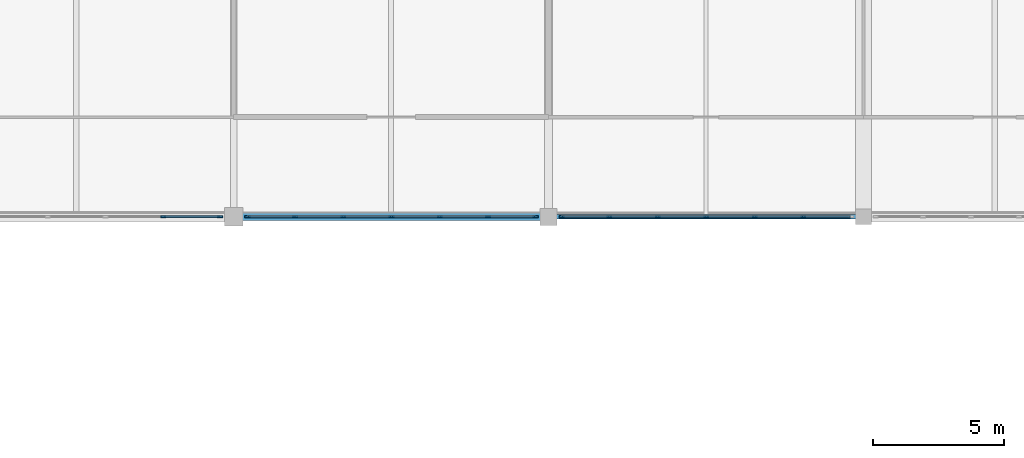
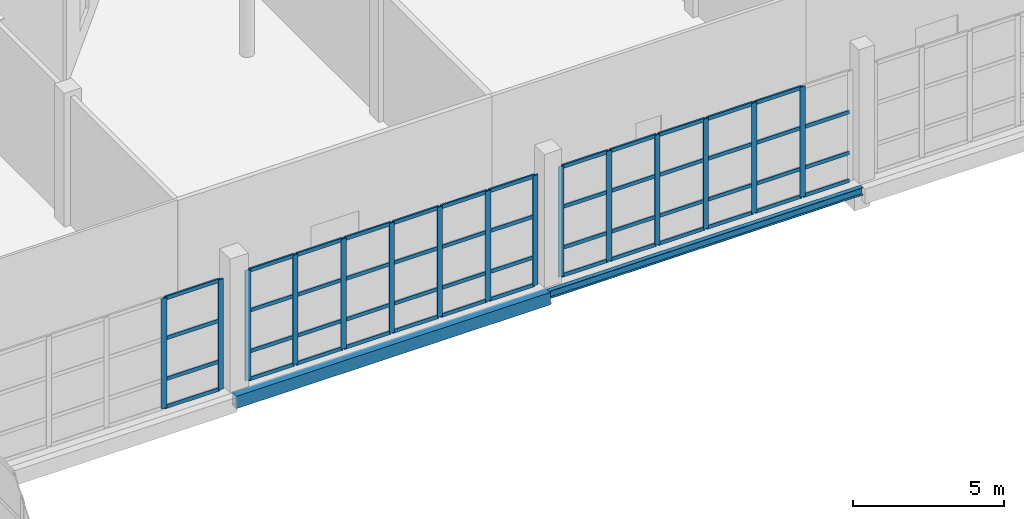
# One storey, part 23 of 49: 66 members, 2 beams, 3 elements without a shape of their own.
"""IFC4 building model written with IfcOpenShell, lengths in metres."""

from ifc_helpers import new_model, si_unit, direction, frame, origin, origin_2d, place, context, subcontext, project, spatial, rectangle, hollow_rectangle, i_section, extrude, material, material_profile, profile_set, type_object, element, aggregate, save


model = new_model("IFC4")

# Units and contexts
model_context = context("Model", 3, precision=1e-05, world=origin(), true_north=direction((0.0, 1.0)))
body_context = subcontext(model_context, "Body", "Model", "MODEL_VIEW")
ifc_project = project(units=[si_unit("LENGTHUNIT", "METRE"), si_unit("AREAUNIT", "SQUARE_METRE"), si_unit("VOLUMEUNIT", "CUBIC_METRE"), si_unit("PLANEANGLEUNIT", "RADIAN"), si_unit("MASSUNIT", "GRAM", prefix="KILO")], contexts=[model_context])

# Site, building, storey
site_placement = place(None, origin())
site = spatial("IfcSite", under=ifc_project, at=site_placement, CompositionType="ELEMENT")
building_placement = place(site_placement, origin())
building = spatial("IfcBuilding", under=site, at=building_placement, Name="Luwafu Chhajja Arena", CompositionType="ELEMENT")
storey_placement = place(building_placement, frame((0.0, 0.0, 24.300048828125)))
storey = spatial("IfcBuildingStorey", under=building, at=storey_placement, Name="L05", CompositionType="ELEMENT", Elevation=24.300048828125)

# Curtain wall, members
ifc_material_1 = material(Name="Anodised bronze aluminium", Category="aluminium")
curtain_wall_type = type_object("IfcCurtainWallType", Name="VIP Club Terrace Curtain Wall", PredefinedType="USERDEFINED", material=ifc_material_1)
curtain_wall_1_placement = place(storey_placement, origin())
curtain_wall_1 = element("IfcCurtainWall", 1, at=curtain_wall_1_placement, inside=storey, type_object=curtain_wall_type, Name="L05 Bowl Viewing Curtain Wall CWR-L05-08", ObjectType="CURTAIN WALL", PredefinedType="USERDEFINED")
ifc_material_profile_1 = material_profile(ifc_material_1, rectangle(XDim=0.06494140625, YDim=0.199951171875, at=origin_2d()), Name="CWM 65x200")
ifc_profile_set_1 = profile_set([ifc_material_profile_1], Name="Anodised bronze aluminium")
member_type_1 = type_object("IfcMemberType", Name="Bronze Curtain Wall Mullion 65x200", PredefinedType="MULLION", material=ifc_profile_set_1)
member_1_placement = place(storey_placement, frame((67.31103515625, 77.0, 0.0), z_axis=(0.0, 0.0, 1.0), x_axis=(0.0, 1.0, 0.0)))
member_1 = element("IfcMember", 2, at=member_1_placement, type_object=member_type_1, Name="CW-10 mullion 5", PredefinedType="MULLION", context=body_context, shape_type="SweptSolid", body=[
    extrude(rectangle(XDim=0.06494140625, YDim=0.199951171875, at=origin_2d()), origin(), (0.0, 0.0, 1.0), 4.449951171875),
])
member_2_placement = place(storey_placement, frame((69.4775390625, 77.0, 0.0), z_axis=(0.0, 0.0, 1.0), x_axis=(0.0, 1.0, 0.0)))
member_2 = element("IfcMember", 3, at=member_2_placement, type_object=member_type_1, Name="CW-10 mullion 6", PredefinedType="MULLION", context=body_context, shape_type="SweptSolid", body=[
    extrude(rectangle(XDim=0.06494140625, YDim=0.199951171875, at=origin_2d()), origin(), (0.0, 0.0, 1.0), 4.449951171875),
])

curtain_wall_2_placement = place(storey_placement, origin())
curtain_wall_2 = element("IfcCurtainWall", 4, at=curtain_wall_2_placement, inside=storey, type_object=curtain_wall_type, Name="L05 Bowl Viewing Curtain Wall CWR-L05-09", ObjectType="CURTAIN WALL", PredefinedType="USERDEFINED")
member_3_placement = place(storey_placement, frame((70.5224609375, 77.0, 0.0), z_axis=(0.0, 0.0, 1.0), x_axis=(0.0, 1.0, 0.0)))
member_3 = element("IfcMember", 5, at=member_3_placement, type_object=member_type_1, Name="CW-10 mullion 1", PredefinedType="MULLION", context=body_context, shape_type="SweptSolid", body=[
    extrude(rectangle(XDim=0.06494140625, YDim=0.199951171875, at=origin_2d()), origin(), (0.0, 0.0, 1.0), 4.449951171875),
])
member_4_placement = place(storey_placement, frame((72.330810546875, 77.0, 0.0), z_axis=(0.0, 0.0, 1.0), x_axis=(0.0, 1.0, 0.0)))
member_4 = element("IfcMember", 6, at=member_4_placement, type_object=member_type_1, Name="CW-10 mullion 2", PredefinedType="MULLION", context=body_context, shape_type="SweptSolid", body=[
    extrude(rectangle(XDim=0.06494140625, YDim=0.199951171875, at=origin_2d()), origin(), (0.0, 0.0, 1.0), 4.449951171875),
])
member_5_placement = place(storey_placement, frame((74.171630859375, 77.0, 0.0), z_axis=(0.0, 0.0, 1.0), x_axis=(0.0, 1.0, 0.0)))
member_5 = element("IfcMember", 7, at=member_5_placement, type_object=member_type_1, Name="CW-10 mullion 3", PredefinedType="MULLION", context=body_context, shape_type="SweptSolid", body=[
    extrude(rectangle(XDim=0.06494140625, YDim=0.199951171875, at=origin_2d()), origin(), (0.0, 0.0, 1.0), 4.449951171875),
])
member_6_placement = place(storey_placement, frame((76.012451171875, 77.0, 0.0), z_axis=(0.0, 0.0, 1.0), x_axis=(0.0, 1.0, 0.0)))
member_6 = element("IfcMember", 8, at=member_6_placement, type_object=member_type_1, Name="CW-10 mullion 4", PredefinedType="MULLION", context=body_context, shape_type="SweptSolid", body=[
    extrude(rectangle(XDim=0.06494140625, YDim=0.199951171875, at=origin_2d()), origin(), (0.0, 0.0, 1.0), 4.449951171875),
])
member_7_placement = place(storey_placement, frame((77.853271484375, 77.0, 0.0), z_axis=(0.0, 0.0, 1.0), x_axis=(0.0, 1.0, 0.0)))
member_7 = element("IfcMember", 9, at=member_7_placement, type_object=member_type_1, Name="CW-10 mullion 5", PredefinedType="MULLION", context=body_context, shape_type="SweptSolid", body=[
    extrude(rectangle(XDim=0.06494140625, YDim=0.199951171875, at=origin_2d()), origin(), (0.0, 0.0, 1.0), 4.449951171875),
])
member_8_placement = place(storey_placement, frame((79.694091796875, 77.0, 0.0), z_axis=(0.0, 0.0, 1.0), x_axis=(0.0, 1.0, 0.0)))
member_8 = element("IfcMember", 10, at=member_8_placement, type_object=member_type_1, Name="CW-10 mullion 6", PredefinedType="MULLION", context=body_context, shape_type="SweptSolid", body=[
    extrude(rectangle(XDim=0.06494140625, YDim=0.199951171875, at=origin_2d()), origin(), (0.0, 0.0, 1.0), 4.449951171875),
])
member_9_placement = place(storey_placement, frame((81.50244140625, 77.0, 0.0), z_axis=(0.0, 0.0, 1.0), x_axis=(0.0, 1.0, 0.0)))
member_9 = element("IfcMember", 11, at=member_9_placement, type_object=member_type_1, Name="CW-10 mullion 7", PredefinedType="MULLION", context=body_context, shape_type="SweptSolid", body=[
    extrude(rectangle(XDim=0.06494140625, YDim=0.199951171875, at=origin_2d()), origin(), (0.0, 0.0, 1.0), 4.449951171875),
])

curtain_wall_3_placement = place(storey_placement, origin())
curtain_wall_3 = element("IfcCurtainWall", 12, at=curtain_wall_3_placement, inside=storey, type_object=curtain_wall_type, Name="L05 Bowl Viewing Curtain Wall CWR-L05-10", ObjectType="CURTAIN WALL", PredefinedType="USERDEFINED")
member_10_placement = place(storey_placement, frame((82.49755859375, 77.0, 0.0), z_axis=(0.0, 0.0, 1.0), x_axis=(0.0, 1.0, 0.0)))
member_10 = element("IfcMember", 13, at=member_10_placement, type_object=member_type_1, Name="CW-10 mullion 1", PredefinedType="MULLION", context=body_context, shape_type="SweptSolid", body=[
    extrude(rectangle(XDim=0.06494140625, YDim=0.199951171875, at=origin_2d()), origin(), (0.0, 0.0, 1.0), 4.449951171875),
])
member_11_placement = place(storey_placement, frame((84.314208984375, 77.0, 0.0), z_axis=(0.0, 0.0, 1.0), x_axis=(0.0, 1.0, 0.0)))
member_11 = element("IfcMember", 14, at=member_11_placement, type_object=member_type_1, Name="CW-10 mullion 2", PredefinedType="MULLION", context=body_context, shape_type="SweptSolid", body=[
    extrude(rectangle(XDim=0.06494140625, YDim=0.199951171875, at=origin_2d()), origin(), (0.0, 0.0, 1.0), 4.449951171875),
])
member_12_placement = place(storey_placement, frame((86.163330078125, 77.0, 0.0), z_axis=(0.0, 0.0, 1.0), x_axis=(0.0, 1.0, 0.0)))
member_12 = element("IfcMember", 15, at=member_12_placement, type_object=member_type_1, Name="CW-10 mullion 3", PredefinedType="MULLION", context=body_context, shape_type="SweptSolid", body=[
    extrude(rectangle(XDim=0.06494140625, YDim=0.199951171875, at=origin_2d()), origin(), (0.0, 0.0, 1.0), 4.449951171875),
])
member_13_placement = place(storey_placement, frame((88.012451171875, 77.0, 0.0), z_axis=(0.0, 0.0, 1.0), x_axis=(0.0, 1.0, 0.0)))
member_13 = element("IfcMember", 16, at=member_13_placement, type_object=member_type_1, Name="CW-10 mullion 4", PredefinedType="MULLION", context=body_context, shape_type="SweptSolid", body=[
    extrude(rectangle(XDim=0.06494140625, YDim=0.199951171875, at=origin_2d()), origin(), (0.0, 0.0, 1.0), 4.449951171875),
])
member_14_placement = place(storey_placement, frame((89.861572265625, 77.0, 0.0), z_axis=(0.0, 0.0, 1.0), x_axis=(0.0, 1.0, 0.0)))
member_14 = element("IfcMember", 17, at=member_14_placement, type_object=member_type_1, Name="CW-10 mullion 5", PredefinedType="MULLION", context=body_context, shape_type="SweptSolid", body=[
    extrude(rectangle(XDim=0.06494140625, YDim=0.199951171875, at=origin_2d()), origin(), (0.0, 0.0, 1.0), 4.449951171875),
])
member_15_placement = place(storey_placement, frame((91.7109375, 77.0, 0.0), z_axis=(0.0, 0.0, 1.0), x_axis=(0.0, 1.0, 0.0)))
member_15 = element("IfcMember", 18, at=member_15_placement, type_object=member_type_1, Name="CW-10 mullion 6", PredefinedType="MULLION", context=body_context, shape_type="SweptSolid", body=[
    extrude(rectangle(XDim=0.06494140625, YDim=0.199951171875, at=origin_2d()), origin(), (0.0, 0.0, 1.0), 4.449951171875),
])

# Member
ifc_material_profile_2 = material_profile(ifc_material_1, rectangle(XDim=0.06494140625, YDim=0.14990234375, at=origin_2d()), Name="CWT 65x150")
ifc_profile_set_2 = profile_set([ifc_material_profile_2], Name="Anodised bronze aluminium")
member_type_2 = type_object("IfcMemberType", Name="Bronze Curtain Wall Transom 65x150", PredefinedType="USERDEFINED", material=ifc_profile_set_2)
member_16_placement = place(storey_placement, frame((67.343505859375, 77.0, 0.032470703125), z_axis=(1.0, 0.0, 0.0), x_axis=(0.0, 1.0, 0.0)))
member_16 = element("IfcMember", 19, at=member_16_placement, type_object=member_type_2, Name="CW-10 transom 5.1", ObjectType="TRANSOM", PredefinedType="USERDEFINED", context=body_context, shape_type="SweptSolid", body=[
    extrude(rectangle(XDim=0.06494140625, YDim=0.14990234375, at=origin_2d()), origin(), (0.0, 0.0, 1.0), 2.1015625),
])

member_17_placement = place(storey_placement, frame((67.343505859375, 77.0, 1.14990234375), z_axis=(1.0, 0.0, 0.0), x_axis=(0.0, 1.0, 0.0)))
member_17 = element("IfcMember", 20, at=member_17_placement, type_object=member_type_2, Name="CW-10 transom 5.2", ObjectType="TRANSOM", PredefinedType="USERDEFINED", context=body_context, shape_type="SweptSolid", body=[
    extrude(rectangle(XDim=0.06494140625, YDim=0.14990234375, at=origin_2d()), origin(), (0.0, 0.0, 1.0), 2.1015625),
])

member_18_placement = place(storey_placement, frame((67.343505859375, 77.0, 2.800048828125), z_axis=(1.0, 0.0, 0.0), x_axis=(0.0, 1.0, 0.0)))
member_18 = element("IfcMember", 21, at=member_18_placement, type_object=member_type_2, Name="CW-10 transom 5.3", ObjectType="TRANSOM", PredefinedType="USERDEFINED", context=body_context, shape_type="SweptSolid", body=[
    extrude(rectangle(XDim=0.06494140625, YDim=0.14990234375, at=origin_2d()), origin(), (0.0, 0.0, 1.0), 2.1015625),
])

member_19_placement = place(storey_placement, frame((67.343505859375, 77.0, 4.41748046875), z_axis=(1.0, 0.0, 0.0), x_axis=(0.0, 1.0, 0.0)))
member_19 = element("IfcMember", 22, at=member_19_placement, type_object=member_type_2, Name="CW-10 transom 5.4", ObjectType="TRANSOM", PredefinedType="USERDEFINED", context=body_context, shape_type="SweptSolid", body=[
    extrude(rectangle(XDim=0.06494140625, YDim=0.14990234375, at=origin_2d()), origin(), (0.0, 0.0, 1.0), 2.1015625),
])

aggregate(curtain_wall_1, [member_1, member_2, member_16, member_17, member_18, member_19])

member_20_placement = place(storey_placement, frame((70.554931640625, 77.0, 0.032470703125), z_axis=(1.0, 0.0, 0.0), x_axis=(0.0, 1.0, 0.0)))
member_20 = element("IfcMember", 23, at=member_20_placement, type_object=member_type_2, Name="CW-10 transom 1.1", ObjectType="TRANSOM", PredefinedType="USERDEFINED", context=body_context, shape_type="SweptSolid", body=[
    extrude(rectangle(XDim=0.06494140625, YDim=0.14990234375, at=origin_2d()), origin(), (0.0, 0.0, 1.0), 1.743408203125),
])

member_21_placement = place(storey_placement, frame((70.554931640625, 77.0, 1.14990234375), z_axis=(1.0, 0.0, 0.0), x_axis=(0.0, 1.0, 0.0)))
member_21 = element("IfcMember", 24, at=member_21_placement, type_object=member_type_2, Name="CW-10 transom 1.2", ObjectType="TRANSOM", PredefinedType="USERDEFINED", context=body_context, shape_type="SweptSolid", body=[
    extrude(rectangle(XDim=0.06494140625, YDim=0.14990234375, at=origin_2d()), origin(), (0.0, 0.0, 1.0), 1.743408203125),
])

member_22_placement = place(storey_placement, frame((70.554931640625, 77.0, 2.800048828125), z_axis=(1.0, 0.0, 0.0), x_axis=(0.0, 1.0, 0.0)))
member_22 = element("IfcMember", 25, at=member_22_placement, type_object=member_type_2, Name="CW-10 transom 1.3", ObjectType="TRANSOM", PredefinedType="USERDEFINED", context=body_context, shape_type="SweptSolid", body=[
    extrude(rectangle(XDim=0.06494140625, YDim=0.14990234375, at=origin_2d()), origin(), (0.0, 0.0, 1.0), 1.743408203125),
])

member_23_placement = place(storey_placement, frame((70.554931640625, 77.0, 4.41748046875), z_axis=(1.0, 0.0, 0.0), x_axis=(0.0, 1.0, 0.0)))
member_23 = element("IfcMember", 26, at=member_23_placement, type_object=member_type_2, Name="CW-10 transom 1.4", ObjectType="TRANSOM", PredefinedType="USERDEFINED", context=body_context, shape_type="SweptSolid", body=[
    extrude(rectangle(XDim=0.06494140625, YDim=0.14990234375, at=origin_2d()), origin(), (0.0, 0.0, 1.0), 1.743408203125),
])

member_24_placement = place(storey_placement, frame((72.36328125, 77.0, 0.032470703125), z_axis=(1.0, 0.0, 0.0), x_axis=(0.0, 1.0, 0.0)))
member_24 = element("IfcMember", 27, at=member_24_placement, type_object=member_type_2, Name="CW-10 transom 2.1", ObjectType="TRANSOM", PredefinedType="USERDEFINED", context=body_context, shape_type="SweptSolid", body=[
    extrude(rectangle(XDim=0.06494140625, YDim=0.14990234375, at=origin_2d()), origin(), (0.0, 0.0, 1.0), 1.77587890625),
])

member_25_placement = place(storey_placement, frame((72.36328125, 77.0, 1.14990234375), z_axis=(1.0, 0.0, 0.0), x_axis=(0.0, 1.0, 0.0)))
member_25 = element("IfcMember", 28, at=member_25_placement, type_object=member_type_2, Name="CW-10 transom 2.2", ObjectType="TRANSOM", PredefinedType="USERDEFINED", context=body_context, shape_type="SweptSolid", body=[
    extrude(rectangle(XDim=0.06494140625, YDim=0.14990234375, at=origin_2d()), origin(), (0.0, 0.0, 1.0), 1.77587890625),
])

member_26_placement = place(storey_placement, frame((72.36328125, 77.0, 2.800048828125), z_axis=(1.0, 0.0, 0.0), x_axis=(0.0, 1.0, 0.0)))
member_26 = element("IfcMember", 29, at=member_26_placement, type_object=member_type_2, Name="CW-10 transom 2.3", ObjectType="TRANSOM", PredefinedType="USERDEFINED", context=body_context, shape_type="SweptSolid", body=[
    extrude(rectangle(XDim=0.06494140625, YDim=0.14990234375, at=origin_2d()), origin(), (0.0, 0.0, 1.0), 1.77587890625),
])

member_27_placement = place(storey_placement, frame((72.36328125, 77.0, 4.41748046875), z_axis=(1.0, 0.0, 0.0), x_axis=(0.0, 1.0, 0.0)))
member_27 = element("IfcMember", 30, at=member_27_placement, type_object=member_type_2, Name="CW-10 transom 2.4", ObjectType="TRANSOM", PredefinedType="USERDEFINED", context=body_context, shape_type="SweptSolid", body=[
    extrude(rectangle(XDim=0.06494140625, YDim=0.14990234375, at=origin_2d()), origin(), (0.0, 0.0, 1.0), 1.77587890625),
])

member_28_placement = place(storey_placement, frame((74.2041015625, 77.0, 0.032470703125), z_axis=(1.0, 0.0, 0.0), x_axis=(0.0, 1.0, 0.0)))
member_28 = element("IfcMember", 31, at=member_28_placement, type_object=member_type_2, Name="CW-10 transom 3.1", ObjectType="TRANSOM", PredefinedType="USERDEFINED", context=body_context, shape_type="SweptSolid", body=[
    extrude(rectangle(XDim=0.06494140625, YDim=0.14990234375, at=origin_2d()), origin(), (0.0, 0.0, 1.0), 1.77587890625),
])

member_29_placement = place(storey_placement, frame((74.2041015625, 77.0, 1.14990234375), z_axis=(1.0, 0.0, 0.0), x_axis=(0.0, 1.0, 0.0)))
member_29 = element("IfcMember", 32, at=member_29_placement, type_object=member_type_2, Name="CW-10 transom 3.2", ObjectType="TRANSOM", PredefinedType="USERDEFINED", context=body_context, shape_type="SweptSolid", body=[
    extrude(rectangle(XDim=0.06494140625, YDim=0.14990234375, at=origin_2d()), origin(), (0.0, 0.0, 1.0), 1.77587890625),
])

member_30_placement = place(storey_placement, frame((74.2041015625, 77.0, 2.800048828125), z_axis=(1.0, 0.0, 0.0), x_axis=(0.0, 1.0, 0.0)))
member_30 = element("IfcMember", 33, at=member_30_placement, type_object=member_type_2, Name="CW-10 transom 3.3", ObjectType="TRANSOM", PredefinedType="USERDEFINED", context=body_context, shape_type="SweptSolid", body=[
    extrude(rectangle(XDim=0.06494140625, YDim=0.14990234375, at=origin_2d()), origin(), (0.0, 0.0, 1.0), 1.77587890625),
])

member_31_placement = place(storey_placement, frame((74.2041015625, 77.0, 4.41748046875), z_axis=(1.0, 0.0, 0.0), x_axis=(0.0, 1.0, 0.0)))
member_31 = element("IfcMember", 34, at=member_31_placement, type_object=member_type_2, Name="CW-10 transom 3.4", ObjectType="TRANSOM", PredefinedType="USERDEFINED", context=body_context, shape_type="SweptSolid", body=[
    extrude(rectangle(XDim=0.06494140625, YDim=0.14990234375, at=origin_2d()), origin(), (0.0, 0.0, 1.0), 1.77587890625),
])

member_32_placement = place(storey_placement, frame((76.044921875, 77.0, 0.032470703125), z_axis=(1.0, 0.0, 0.0), x_axis=(0.0, 1.0, 0.0)))
member_32 = element("IfcMember", 35, at=member_32_placement, type_object=member_type_2, Name="CW-10 transom 4.1", ObjectType="TRANSOM", PredefinedType="USERDEFINED", context=body_context, shape_type="SweptSolid", body=[
    extrude(rectangle(XDim=0.06494140625, YDim=0.14990234375, at=origin_2d()), origin(), (0.0, 0.0, 1.0), 1.77587890625),
])

member_33_placement = place(storey_placement, frame((76.044921875, 77.0, 1.14990234375), z_axis=(1.0, 0.0, 0.0), x_axis=(0.0, 1.0, 0.0)))
member_33 = element("IfcMember", 36, at=member_33_placement, type_object=member_type_2, Name="CW-10 transom 4.2", ObjectType="TRANSOM", PredefinedType="USERDEFINED", context=body_context, shape_type="SweptSolid", body=[
    extrude(rectangle(XDim=0.06494140625, YDim=0.14990234375, at=origin_2d()), origin(), (0.0, 0.0, 1.0), 1.77587890625),
])

member_34_placement = place(storey_placement, frame((76.044921875, 77.0, 2.800048828125), z_axis=(1.0, 0.0, 0.0), x_axis=(0.0, 1.0, 0.0)))
member_34 = element("IfcMember", 37, at=member_34_placement, type_object=member_type_2, Name="CW-10 transom 4.3", ObjectType="TRANSOM", PredefinedType="USERDEFINED", context=body_context, shape_type="SweptSolid", body=[
    extrude(rectangle(XDim=0.06494140625, YDim=0.14990234375, at=origin_2d()), origin(), (0.0, 0.0, 1.0), 1.77587890625),
])

member_35_placement = place(storey_placement, frame((76.044921875, 77.0, 4.41748046875), z_axis=(1.0, 0.0, 0.0), x_axis=(0.0, 1.0, 0.0)))
member_35 = element("IfcMember", 38, at=member_35_placement, type_object=member_type_2, Name="CW-10 transom 4.4", ObjectType="TRANSOM", PredefinedType="USERDEFINED", context=body_context, shape_type="SweptSolid", body=[
    extrude(rectangle(XDim=0.06494140625, YDim=0.14990234375, at=origin_2d()), origin(), (0.0, 0.0, 1.0), 1.77587890625),
])

member_36_placement = place(storey_placement, frame((77.8857421875, 77.0, 0.032470703125), z_axis=(1.0, 0.0, 0.0), x_axis=(0.0, 1.0, 0.0)))
member_36 = element("IfcMember", 39, at=member_36_placement, type_object=member_type_2, Name="CW-10 transom 5.1", ObjectType="TRANSOM", PredefinedType="USERDEFINED", context=body_context, shape_type="SweptSolid", body=[
    extrude(rectangle(XDim=0.06494140625, YDim=0.14990234375, at=origin_2d()), origin(), (0.0, 0.0, 1.0), 1.77587890625),
])

member_37_placement = place(storey_placement, frame((77.8857421875, 77.0, 1.14990234375), z_axis=(1.0, 0.0, 0.0), x_axis=(0.0, 1.0, 0.0)))
member_37 = element("IfcMember", 40, at=member_37_placement, type_object=member_type_2, Name="CW-10 transom 5.2", ObjectType="TRANSOM", PredefinedType="USERDEFINED", context=body_context, shape_type="SweptSolid", body=[
    extrude(rectangle(XDim=0.06494140625, YDim=0.14990234375, at=origin_2d()), origin(), (0.0, 0.0, 1.0), 1.77587890625),
])

member_38_placement = place(storey_placement, frame((77.8857421875, 77.0, 2.800048828125), z_axis=(1.0, 0.0, 0.0), x_axis=(0.0, 1.0, 0.0)))
member_38 = element("IfcMember", 41, at=member_38_placement, type_object=member_type_2, Name="CW-10 transom 5.3", ObjectType="TRANSOM", PredefinedType="USERDEFINED", context=body_context, shape_type="SweptSolid", body=[
    extrude(rectangle(XDim=0.06494140625, YDim=0.14990234375, at=origin_2d()), origin(), (0.0, 0.0, 1.0), 1.77587890625),
])

member_39_placement = place(storey_placement, frame((77.8857421875, 77.0, 4.41748046875), z_axis=(1.0, 0.0, 0.0), x_axis=(0.0, 1.0, 0.0)))
member_39 = element("IfcMember", 42, at=member_39_placement, type_object=member_type_2, Name="CW-10 transom 5.4", ObjectType="TRANSOM", PredefinedType="USERDEFINED", context=body_context, shape_type="SweptSolid", body=[
    extrude(rectangle(XDim=0.06494140625, YDim=0.14990234375, at=origin_2d()), origin(), (0.0, 0.0, 1.0), 1.77587890625),
])

member_40_placement = place(storey_placement, frame((79.7265625, 77.0, 0.032470703125), z_axis=(1.0, 0.0, 0.0), x_axis=(0.0, 1.0, 0.0)))
member_40 = element("IfcMember", 43, at=member_40_placement, type_object=member_type_2, Name="CW-10 transom 6.1", ObjectType="TRANSOM", PredefinedType="USERDEFINED", context=body_context, shape_type="SweptSolid", body=[
    extrude(rectangle(XDim=0.06494140625, YDim=0.14990234375, at=origin_2d()), origin(), (0.0, 0.0, 1.0), 1.743408203125),
])

member_41_placement = place(storey_placement, frame((79.7265625, 77.0, 1.14990234375), z_axis=(1.0, 0.0, 0.0), x_axis=(0.0, 1.0, 0.0)))
member_41 = element("IfcMember", 44, at=member_41_placement, type_object=member_type_2, Name="CW-10 transom 6.2", ObjectType="TRANSOM", PredefinedType="USERDEFINED", context=body_context, shape_type="SweptSolid", body=[
    extrude(rectangle(XDim=0.06494140625, YDim=0.14990234375, at=origin_2d()), origin(), (0.0, 0.0, 1.0), 1.743408203125),
])

member_42_placement = place(storey_placement, frame((79.7265625, 77.0, 2.800048828125), z_axis=(1.0, 0.0, 0.0), x_axis=(0.0, 1.0, 0.0)))
member_42 = element("IfcMember", 45, at=member_42_placement, type_object=member_type_2, Name="CW-10 transom 6.3", ObjectType="TRANSOM", PredefinedType="USERDEFINED", context=body_context, shape_type="SweptSolid", body=[
    extrude(rectangle(XDim=0.06494140625, YDim=0.14990234375, at=origin_2d()), origin(), (0.0, 0.0, 1.0), 1.743408203125),
])

member_43_placement = place(storey_placement, frame((79.7265625, 77.0, 4.41748046875), z_axis=(1.0, 0.0, 0.0), x_axis=(0.0, 1.0, 0.0)))
member_43 = element("IfcMember", 46, at=member_43_placement, type_object=member_type_2, Name="CW-10 transom 6.4", ObjectType="TRANSOM", PredefinedType="USERDEFINED", context=body_context, shape_type="SweptSolid", body=[
    extrude(rectangle(XDim=0.06494140625, YDim=0.14990234375, at=origin_2d()), origin(), (0.0, 0.0, 1.0), 1.743408203125),
])

aggregate(curtain_wall_2, [member_3, member_4, member_5, member_6, member_7, member_8, member_9, member_20, member_21, member_22, member_23, member_24, member_25, member_26, member_27, member_28, member_29, member_30, member_31, member_32, member_33, member_34, member_35, member_36, member_37, member_38, member_39, member_40, member_41, member_42, member_43])

member_44_placement = place(storey_placement, frame((82.530029296875, 77.0, 0.032470703125), z_axis=(1.0, 0.0, 0.0), x_axis=(0.0, 1.0, 0.0)))
member_44 = element("IfcMember", 47, at=member_44_placement, type_object=member_type_2, Name="CW-10 transom 1.1", ObjectType="TRANSOM", PredefinedType="USERDEFINED", context=body_context, shape_type="SweptSolid", body=[
    extrude(rectangle(XDim=0.06494140625, YDim=0.14990234375, at=origin_2d()), origin(), (0.0, 0.0, 1.0), 1.751708984375),
])

member_45_placement = place(storey_placement, frame((82.530029296875, 77.0, 1.14990234375), z_axis=(1.0, 0.0, 0.0), x_axis=(0.0, 1.0, 0.0)))
member_45 = element("IfcMember", 48, at=member_45_placement, type_object=member_type_2, Name="CW-10 transom 1.2", ObjectType="TRANSOM", PredefinedType="USERDEFINED", context=body_context, shape_type="SweptSolid", body=[
    extrude(rectangle(XDim=0.06494140625, YDim=0.14990234375, at=origin_2d()), origin(), (0.0, 0.0, 1.0), 1.751708984375),
])

member_46_placement = place(storey_placement, frame((82.530029296875, 77.0, 2.800048828125), z_axis=(1.0, 0.0, 0.0), x_axis=(0.0, 1.0, 0.0)))
member_46 = element("IfcMember", 49, at=member_46_placement, type_object=member_type_2, Name="CW-10 transom 1.3", ObjectType="TRANSOM", PredefinedType="USERDEFINED", context=body_context, shape_type="SweptSolid", body=[
    extrude(rectangle(XDim=0.06494140625, YDim=0.14990234375, at=origin_2d()), origin(), (0.0, 0.0, 1.0), 1.751708984375),
])

member_47_placement = place(storey_placement, frame((82.530029296875, 77.0, 4.41748046875), z_axis=(1.0, 0.0, 0.0), x_axis=(0.0, 1.0, 0.0)))
member_47 = element("IfcMember", 50, at=member_47_placement, type_object=member_type_2, Name="CW-10 transom 1.4", ObjectType="TRANSOM", PredefinedType="USERDEFINED", context=body_context, shape_type="SweptSolid", body=[
    extrude(rectangle(XDim=0.06494140625, YDim=0.14990234375, at=origin_2d()), origin(), (0.0, 0.0, 1.0), 1.751708984375),
])

member_48_placement = place(storey_placement, frame((84.3466796875, 77.0, 0.032470703125), z_axis=(1.0, 0.0, 0.0), x_axis=(0.0, 1.0, 0.0)))
member_48 = element("IfcMember", 51, at=member_48_placement, type_object=member_type_2, Name="CW-10 transom 2.1", ObjectType="TRANSOM", PredefinedType="USERDEFINED", context=body_context, shape_type="SweptSolid", body=[
    extrude(rectangle(XDim=0.06494140625, YDim=0.14990234375, at=origin_2d()), origin(), (0.0, 0.0, 1.0), 1.7841796875),
])

member_49_placement = place(storey_placement, frame((84.3466796875, 77.0, 1.14990234375), z_axis=(1.0, 0.0, 0.0), x_axis=(0.0, 1.0, 0.0)))
member_49 = element("IfcMember", 52, at=member_49_placement, type_object=member_type_2, Name="CW-10 transom 2.2", ObjectType="TRANSOM", PredefinedType="USERDEFINED", context=body_context, shape_type="SweptSolid", body=[
    extrude(rectangle(XDim=0.06494140625, YDim=0.14990234375, at=origin_2d()), origin(), (0.0, 0.0, 1.0), 1.7841796875),
])

member_50_placement = place(storey_placement, frame((84.3466796875, 77.0, 2.800048828125), z_axis=(1.0, 0.0, 0.0), x_axis=(0.0, 1.0, 0.0)))
member_50 = element("IfcMember", 53, at=member_50_placement, type_object=member_type_2, Name="CW-10 transom 2.3", ObjectType="TRANSOM", PredefinedType="USERDEFINED", context=body_context, shape_type="SweptSolid", body=[
    extrude(rectangle(XDim=0.06494140625, YDim=0.14990234375, at=origin_2d()), origin(), (0.0, 0.0, 1.0), 1.7841796875),
])

member_51_placement = place(storey_placement, frame((84.3466796875, 77.0, 4.41748046875), z_axis=(1.0, 0.0, 0.0), x_axis=(0.0, 1.0, 0.0)))
member_51 = element("IfcMember", 54, at=member_51_placement, type_object=member_type_2, Name="CW-10 transom 2.4", ObjectType="TRANSOM", PredefinedType="USERDEFINED", context=body_context, shape_type="SweptSolid", body=[
    extrude(rectangle(XDim=0.06494140625, YDim=0.14990234375, at=origin_2d()), origin(), (0.0, 0.0, 1.0), 1.7841796875),
])

member_52_placement = place(storey_placement, frame((86.19580078125, 77.0, 0.032470703125), z_axis=(1.0, 0.0, 0.0), x_axis=(0.0, 1.0, 0.0)))
member_52 = element("IfcMember", 55, at=member_52_placement, type_object=member_type_2, Name="CW-10 transom 3.1", ObjectType="TRANSOM", PredefinedType="USERDEFINED", context=body_context, shape_type="SweptSolid", body=[
    extrude(rectangle(XDim=0.06494140625, YDim=0.14990234375, at=origin_2d()), origin(), (0.0, 0.0, 1.0), 1.7841796875),
])

member_53_placement = place(storey_placement, frame((86.19580078125, 77.0, 1.14990234375), z_axis=(1.0, 0.0, 0.0), x_axis=(0.0, 1.0, 0.0)))
member_53 = element("IfcMember", 56, at=member_53_placement, type_object=member_type_2, Name="CW-10 transom 3.2", ObjectType="TRANSOM", PredefinedType="USERDEFINED", context=body_context, shape_type="SweptSolid", body=[
    extrude(rectangle(XDim=0.06494140625, YDim=0.14990234375, at=origin_2d()), origin(), (0.0, 0.0, 1.0), 1.7841796875),
])

member_54_placement = place(storey_placement, frame((86.19580078125, 77.0, 2.800048828125), z_axis=(1.0, 0.0, 0.0), x_axis=(0.0, 1.0, 0.0)))
member_54 = element("IfcMember", 57, at=member_54_placement, type_object=member_type_2, Name="CW-10 transom 3.3", ObjectType="TRANSOM", PredefinedType="USERDEFINED", context=body_context, shape_type="SweptSolid", body=[
    extrude(rectangle(XDim=0.06494140625, YDim=0.14990234375, at=origin_2d()), origin(), (0.0, 0.0, 1.0), 1.7841796875),
])

member_55_placement = place(storey_placement, frame((86.19580078125, 77.0, 4.41748046875), z_axis=(1.0, 0.0, 0.0), x_axis=(0.0, 1.0, 0.0)))
member_55 = element("IfcMember", 58, at=member_55_placement, type_object=member_type_2, Name="CW-10 transom 3.4", ObjectType="TRANSOM", PredefinedType="USERDEFINED", context=body_context, shape_type="SweptSolid", body=[
    extrude(rectangle(XDim=0.06494140625, YDim=0.14990234375, at=origin_2d()), origin(), (0.0, 0.0, 1.0), 1.7841796875),
])

member_56_placement = place(storey_placement, frame((88.044921875, 77.0, 0.032470703125), z_axis=(1.0, 0.0, 0.0), x_axis=(0.0, 1.0, 0.0)))
member_56 = element("IfcMember", 59, at=member_56_placement, type_object=member_type_2, Name="CW-10 transom 4.1", ObjectType="TRANSOM", PredefinedType="USERDEFINED", context=body_context, shape_type="SweptSolid", body=[
    extrude(rectangle(XDim=0.06494140625, YDim=0.14990234375, at=origin_2d()), origin(), (0.0, 0.0, 1.0), 1.7841796875),
])

member_57_placement = place(storey_placement, frame((88.044921875, 77.0, 1.14990234375), z_axis=(1.0, 0.0, 0.0), x_axis=(0.0, 1.0, 0.0)))
member_57 = element("IfcMember", 60, at=member_57_placement, type_object=member_type_2, Name="CW-10 transom 4.2", ObjectType="TRANSOM", PredefinedType="USERDEFINED", context=body_context, shape_type="SweptSolid", body=[
    extrude(rectangle(XDim=0.06494140625, YDim=0.14990234375, at=origin_2d()), origin(), (0.0, 0.0, 1.0), 1.7841796875),
])

member_58_placement = place(storey_placement, frame((88.044921875, 77.0, 2.800048828125), z_axis=(1.0, 0.0, 0.0), x_axis=(0.0, 1.0, 0.0)))
member_58 = element("IfcMember", 61, at=member_58_placement, type_object=member_type_2, Name="CW-10 transom 4.3", ObjectType="TRANSOM", PredefinedType="USERDEFINED", context=body_context, shape_type="SweptSolid", body=[
    extrude(rectangle(XDim=0.06494140625, YDim=0.14990234375, at=origin_2d()), origin(), (0.0, 0.0, 1.0), 1.7841796875),
])

member_59_placement = place(storey_placement, frame((88.044921875, 77.0, 4.41748046875), z_axis=(1.0, 0.0, 0.0), x_axis=(0.0, 1.0, 0.0)))
member_59 = element("IfcMember", 62, at=member_59_placement, type_object=member_type_2, Name="CW-10 transom 4.4", ObjectType="TRANSOM", PredefinedType="USERDEFINED", context=body_context, shape_type="SweptSolid", body=[
    extrude(rectangle(XDim=0.06494140625, YDim=0.14990234375, at=origin_2d()), origin(), (0.0, 0.0, 1.0), 1.7841796875),
])

member_60_placement = place(storey_placement, frame((89.894287109375, 77.0, 0.032470703125), z_axis=(1.0, 0.0, 0.0), x_axis=(0.0, 1.0, 0.0)))
member_60 = element("IfcMember", 63, at=member_60_placement, type_object=member_type_2, Name="CW-10 transom 5.1", ObjectType="TRANSOM", PredefinedType="USERDEFINED", context=body_context, shape_type="SweptSolid", body=[
    extrude(rectangle(XDim=0.06494140625, YDim=0.14990234375, at=origin_2d()), origin(), (0.0, 0.0, 1.0), 1.783935546875),
])

member_61_placement = place(storey_placement, frame((89.894287109375, 77.0, 1.14990234375), z_axis=(1.0, 0.0, 0.0), x_axis=(0.0, 1.0, 0.0)))
member_61 = element("IfcMember", 64, at=member_61_placement, type_object=member_type_2, Name="CW-10 transom 5.2", ObjectType="TRANSOM", PredefinedType="USERDEFINED", context=body_context, shape_type="SweptSolid", body=[
    extrude(rectangle(XDim=0.06494140625, YDim=0.14990234375, at=origin_2d()), origin(), (0.0, 0.0, 1.0), 1.783935546875),
])

member_62_placement = place(storey_placement, frame((89.894287109375, 77.0, 2.800048828125), z_axis=(1.0, 0.0, 0.0), x_axis=(0.0, 1.0, 0.0)))
member_62 = element("IfcMember", 65, at=member_62_placement, type_object=member_type_2, Name="CW-10 transom 5.3", ObjectType="TRANSOM", PredefinedType="USERDEFINED", context=body_context, shape_type="SweptSolid", body=[
    extrude(rectangle(XDim=0.06494140625, YDim=0.14990234375, at=origin_2d()), origin(), (0.0, 0.0, 1.0), 1.783935546875),
])

member_63_placement = place(storey_placement, frame((89.894287109375, 77.0, 4.41748046875), z_axis=(1.0, 0.0, 0.0), x_axis=(0.0, 1.0, 0.0)))
member_63 = element("IfcMember", 66, at=member_63_placement, type_object=member_type_2, Name="CW-10 transom 5.4", ObjectType="TRANSOM", PredefinedType="USERDEFINED", context=body_context, shape_type="SweptSolid", body=[
    extrude(rectangle(XDim=0.06494140625, YDim=0.14990234375, at=origin_2d()), origin(), (0.0, 0.0, 1.0), 1.783935546875),
])

member_64_placement = place(storey_placement, frame((91.743408203125, 77.0, 0.032470703125), z_axis=(1.0, 0.0, 0.0), x_axis=(0.0, 1.0, 0.0)))
member_64 = element("IfcMember", 67, at=member_64_placement, type_object=member_type_2, Name="CW-10 transom 6.1", ObjectType="TRANSOM", PredefinedType="USERDEFINED", context=body_context, shape_type="SweptSolid", body=[
    extrude(rectangle(XDim=0.06494140625, YDim=0.14990234375, at=origin_2d()), origin(), (0.0, 0.0, 1.0), 1.751708984375),
])

member_65_placement = place(storey_placement, frame((91.743408203125, 77.0, 1.14990234375), z_axis=(1.0, 0.0, 0.0), x_axis=(0.0, 1.0, 0.0)))
member_65 = element("IfcMember", 68, at=member_65_placement, type_object=member_type_2, Name="CW-10 transom 6.2", ObjectType="TRANSOM", PredefinedType="USERDEFINED", context=body_context, shape_type="SweptSolid", body=[
    extrude(rectangle(XDim=0.06494140625, YDim=0.14990234375, at=origin_2d()), origin(), (0.0, 0.0, 1.0), 1.751708984375),
])

member_66_placement = place(storey_placement, frame((91.743408203125, 77.0, 2.800048828125), z_axis=(1.0, 0.0, 0.0), x_axis=(0.0, 1.0, 0.0)))
member_66 = element("IfcMember", 69, at=member_66_placement, type_object=member_type_2, Name="CW-10 transom 6.3", ObjectType="TRANSOM", PredefinedType="USERDEFINED", context=body_context, shape_type="SweptSolid", body=[
    extrude(rectangle(XDim=0.06494140625, YDim=0.14990234375, at=origin_2d()), origin(), (0.0, 0.0, 1.0), 1.751708984375),
])

aggregate(curtain_wall_3, [member_10, member_11, member_12, member_13, member_14, member_15, member_44, member_45, member_46, member_47, member_48, member_49, member_50, member_51, member_52, member_53, member_54, member_55, member_56, member_57, member_58, member_59, member_60, member_61, member_62, member_63, member_64, member_65, member_66])

# Beams
ifc_material_2 = material(Name="Steel S355", Category="steel")
ifc_material_profile_3 = material_profile(ifc_material_2, i_section(OverallWidth=0.165771484375, OverallDepth=0.306640625, WebThickness=0.006591796875, FlangeThickness=0.01171875, at=origin_2d()), Name="UB 305x165x46")
ifc_profile_set_3 = profile_set([ifc_material_profile_3], Name="Steel S355")
beam_type_1 = type_object("IfcBeamType", Name="Concourse Edge Spandrel Beam UB 305x165x46", PredefinedType="SPANDREL", material=ifc_profile_set_3)
beam_1_placement = place(storey_placement, frame((82.0, 77.0, -0.54345703125), z_axis=(1.0, 0.0, 0.0), x_axis=(0.0, 1.0, 0.0)))
element("IfcBeam", 70, at=beam_1_placement, inside=storey, type_object=beam_type_1, Name="L05 Grid Beam 8-9/H", PredefinedType="SPANDREL", context=body_context, shape_type="SweptSolid", body=[
    extrude(i_section(OverallWidth=0.165771484375, OverallDepth=0.306640625, WebThickness=0.006591796875, FlangeThickness=0.01171875, at=origin_2d()), origin(), (0.0, 0.0, 1.0), 12.0),
])
ifc_material_profile_4 = material_profile(ifc_material_2, hollow_rectangle(XDim=0.300048828125, YDim=0.5, WallThickness=0.02001953125, at=origin_2d()), Name="RHS 500x300x20")
ifc_profile_set_4 = profile_set([ifc_material_profile_4], Name="Steel S355")
beam_type_2 = type_object("IfcBeamType", Name="Pleated Drum Spandrel Beam RHS 500x300", PredefinedType="SPANDREL", material=ifc_profile_set_4)
beam_2_placement = place(storey_placement, frame((70.0, 77.0, -0.64013671875), z_axis=(1.0, 0.0, 0.0), x_axis=(0.0, 1.0, 0.0)))
element("IfcBeam", 71, at=beam_2_placement, inside=storey, type_object=beam_type_2, Name="L05 Grid Beam 7-8/H", PredefinedType="SPANDREL", context=body_context, shape_type="SweptSolid", body=[
    extrude(hollow_rectangle(XDim=0.300048828125, YDim=0.5, WallThickness=0.02001953125, at=origin_2d()), origin(), (0.0, 0.0, 1.0), 12.0),
])

save(model, "model.ifc")
